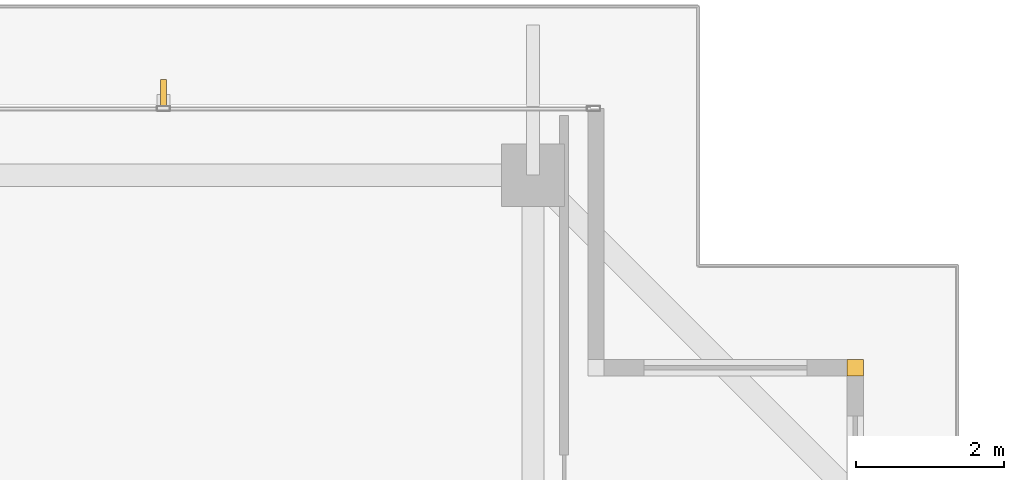
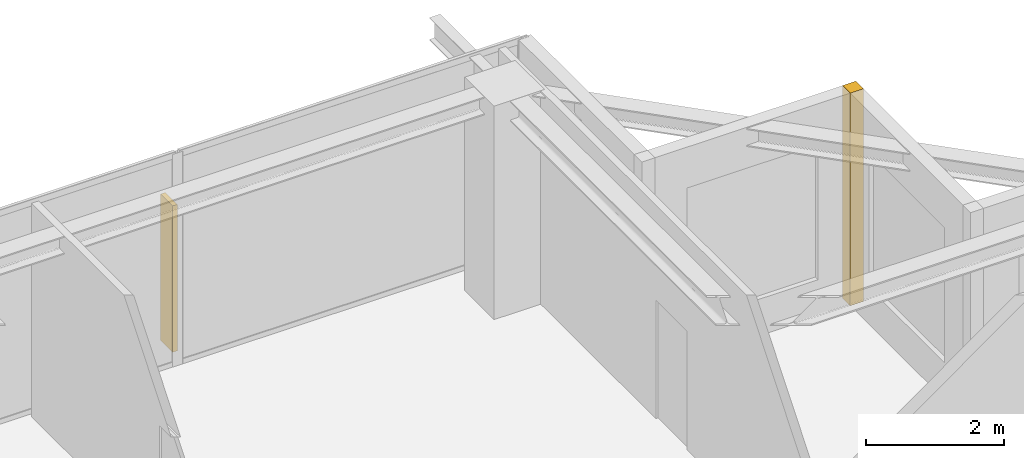
# One storey, part 36 of 36: 1 covering, 1 shading device.
"""IFC4 building model written with IfcOpenShell, lengths in metres."""

from ifc_helpers import new_model, si_unit, direction, frame, origin, origin_2d, place, context, subcontext, project, spatial, rectangle, extrude, source, transform, mapped, material, layer, layer_set, type_object, element, save


model = new_model("IFC4")

# Units and contexts
model_context = context("Model", 3, precision=1e-05, world=origin(), true_north=direction((0.0, 1.0)))
body_context = subcontext(model_context, "Body", "Model", "MODEL_VIEW")
ifc_project = project(units=[si_unit("LENGTHUNIT", "METRE"), si_unit("AREAUNIT", "SQUARE_METRE"), si_unit("VOLUMEUNIT", "CUBIC_METRE"), si_unit("PLANEANGLEUNIT", "RADIAN"), si_unit("MASSUNIT", "GRAM", prefix="KILO")], contexts=[model_context])

# Site, building, storey
site_placement = place(None, origin())
site = spatial("IfcSite", under=ifc_project, at=site_placement, CompositionType="ELEMENT")
building_placement = place(site_placement, origin())
building = spatial("IfcBuilding", under=site, at=building_placement, Name="Serunith Strait Residences", CompositionType="ELEMENT")
storey_placement = place(building_placement, frame((0.0, 0.0, 338.0)))
storey = spatial("IfcBuildingStorey", under=building, at=storey_placement, Name="L84", CompositionType="ELEMENT", Elevation=338.0)

# Shading device
ifc_material_1 = material(Name="Pale-Champagne Perforated Aluminium Fin", Category="aluminium")
shading_device_type = type_object("IfcShadingDeviceType", Name="SHD-DIAG-FIN", PredefinedType="AWNING", material=ifc_material_1)
shared_shape_1 = source(origin(), body_context, "Body", "SweptSolid", [
    extrude(rectangle(XDim=0.080078125, YDim=0.35009765625, at=origin_2d()), origin(), (0.0, 0.0, 1.0), 2.60009765625),
])
shading_device_placement = place(storey_placement, frame((41.159912109375, 46.6201171875, 0.199951171875), z_axis=(0.0, 0.0, 1.0), x_axis=(1.0, 0.0, 0.0)))
element("IfcShadingDevice", 1, at=shading_device_placement, inside=storey, type_object=shading_device_type, Name="L84 Diagonal Rhythm Solar Fin N", PredefinedType="AWNING", context=body_context, shape_type="MappedRepresentation", body=[
    mapped(shared_shape_1, transform((0.0, 0.0, 0.0), scale=1.0)),
])

# Covering
ifc_material_2 = material(Name="Pale-Champagne Anodised Aluminium", Category="aluminium")
ifc_layer = layer(ifc_material_2, 0.219970703125, Name="Pale-Champagne Anodised Aluminium")
ifc_layer_set = layer_set([ifc_layer], Name="Pale-Champagne Anodised Aluminium")
covering_type = type_object("IfcCoveringType", Name="COV-CORN-TRIM", PredefinedType="CLADDING", material=ifc_layer_set)
shared_shape_2 = source(origin(), body_context, "Body", "SweptSolid", [
    extrude(rectangle(XDim=0.221923828125, YDim=0.221923828125, at=origin_2d()), origin(), (0.0, 0.0, 1.0), 3.77490234375),
])
covering_placement = place(storey_placement, frame((50.5, 42.89990234375, 0.0), z_axis=(0.0, 0.0, 1.0), x_axis=(1.0, 0.0, 0.0)))
element("IfcCovering", 2, at=covering_placement, inside=storey, type_object=covering_type, Name="L84 Girih Serrated Corner Trim Post 08", PredefinedType="CLADDING", context=body_context, shape_type="MappedRepresentation", body=[
    mapped(shared_shape_2, transform((0.0, 0.0, 0.0), scale=1.0)),
])

save(model, "model.ifc")
